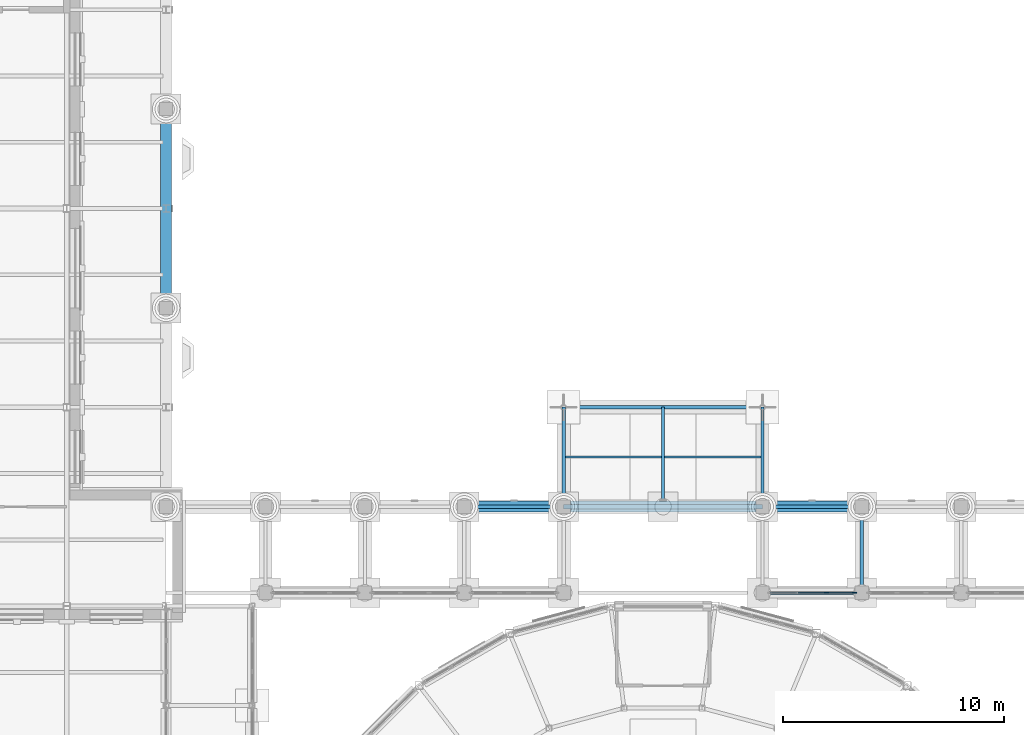
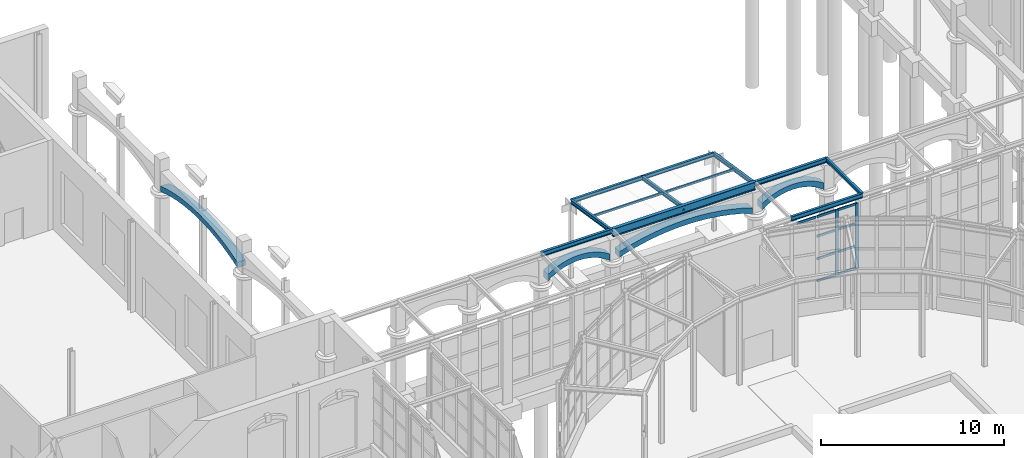
# One storey, part 36 of 106: 13 beams, 12 members, 1 element without a shape of its own.
"""IFC4 building model written with IfcOpenShell, lengths in metres."""

from ifc_helpers import new_model, si_unit, direction, frame, origin, origin_2d, place, context, subcontext, project, spatial, polyline, rectangle, hollow_rectangle, i_section, outline, extrude, material, layer, layer_set, material_profile, profile_set, type_object, element, aggregate, save


model = new_model("IFC4")

# Units and contexts
model_context = context("Model", 3, precision=1e-05, world=origin(), true_north=direction((0.0, 1.0)))
body_context = subcontext(model_context, "Body", "Model", "MODEL_VIEW")
ifc_project = project(units=[si_unit("LENGTHUNIT", "METRE"), si_unit("AREAUNIT", "SQUARE_METRE"), si_unit("VOLUMEUNIT", "CUBIC_METRE"), si_unit("PLANEANGLEUNIT", "RADIAN"), si_unit("MASSUNIT", "GRAM", prefix="KILO")], contexts=[model_context])

# Site, building, storey
site_placement = place(None, origin())
site = spatial("IfcSite", under=ifc_project, at=site_placement, CompositionType="ELEMENT")
building_placement = place(site_placement, origin())
building = spatial("IfcBuilding", under=site, at=building_placement, Name="Hortulan Conservatory and Botanical Research Centre", CompositionType="ELEMENT")
storey_placement = place(building_placement, origin())
storey = spatial("IfcBuildingStorey", under=building, at=storey_placement, Name="L00", CompositionType="ELEMENT", Elevation=0.0)

# Beams
ifc_material_1 = material(Name="Steel Grade 300PLUS (AS/NZS 3679.1, 280 MPa minimum yield)", Category="steel")
ifc_material_profile_1 = material_profile(ifc_material_1, i_section(OverallWidth=0.14599609375, OverallDepth=0.251953125, WebThickness=0.006103515625, FlangeThickness=0.008544921875, FilletRadius=0.0087890625, at=origin_2d()), Name="250UB31.4")
ifc_profile_set_1 = profile_set([ifc_material_profile_1], Name="Steel Grade 300PLUS (AS/NZS 3679.1, 280 MPa minimum yield)")
beam_type_1 = type_object("IfcBeamType", Name="Arcade Cross Beam 250UB31.4", PredefinedType="BEAM", material=ifc_profile_set_1)
beam_1_placement = place(storey_placement, frame((63.0, 36.60009765625, 5.674072265625), z_axis=(0.0, 1.0, 0.0), x_axis=(-1.0, 0.0, 0.0)))
element("IfcBeam", 1, at=beam_1_placement, inside=storey, type_object=beam_type_1, Name="Arcade cross beam 24", PredefinedType="BEAM", context=body_context, shape_type="SweptSolid", body=[
    extrude(i_section(OverallWidth=0.14599609375, OverallDepth=0.251953125, WebThickness=0.006103515625, FlangeThickness=0.008544921875, FilletRadius=0.0087890625, at=origin_2d()), origin(), (0.0, 0.0, 1.0), 3.89990234375),
])
ifc_material_profile_2 = material_profile(ifc_material_1, i_section(OverallWidth=0.208984375, OverallDepth=0.532958984375, WebThickness=0.01025390625, FlangeThickness=0.015625, FilletRadius=0.013916015625, at=origin_2d()), Name="530UB92.4")
ifc_profile_set_2 = profile_set([ifc_material_profile_2], Name="Steel Grade 300PLUS (AS/NZS 3679.1, 280 MPa minimum yield)")
beam_type_2 = type_object("IfcBeamType", Name="Arcade Entrance Beam 530UB92.4", PredefinedType="BEAM", material=ifc_profile_set_2)
beam_2_placement = place(storey_placement, frame((49.5, 40.5, 5.533447265625), z_axis=(1.0, 0.0, 0.0), x_axis=(0.0, 1.0, 0.0)))
element("IfcBeam", 2, at=beam_2_placement, inside=storey, type_object=beam_type_2, Name="Arcade entrance beam 05", PredefinedType="BEAM", context=body_context, shape_type="SweptSolid", body=[
    extrude(i_section(OverallWidth=0.208984375, OverallDepth=0.532958984375, WebThickness=0.01025390625, FlangeThickness=0.015625, FilletRadius=0.013916015625, at=origin_2d()), origin(), (0.0, 0.0, 1.0), 9.0),
])
ifc_material_profile_3 = material_profile(ifc_material_1, i_section(OverallWidth=0.1650390625, OverallDepth=0.303955078125, WebThickness=0.006103515625, FlangeThickness=0.01025390625, FilletRadius=0.011474609375, at=origin_2d()), Name="310UB40.4")
ifc_profile_set_3 = profile_set([ifc_material_profile_3], Name="Steel Grade 300PLUS (AS/NZS 3679.1, 280 MPa minimum yield)")
beam_type_3 = type_object("IfcBeamType", Name="Arcade Front Beam 310UB40.4", PredefinedType="BEAM", material=ifc_profile_set_3)
for number, where, z_axis, x_axis, name in (
    (3, (45.0, 40.5, 5.64794921875), (1.0, 0.0, 0.0), (0.0, 1.0, 0.0), "Arcade front beam 04"),
    (4, (58.5, 40.5, 5.64794921875), (1.0, 0.0, 0.0), (0.0, 1.0, 0.0), "Arcade front beam 06"),
):
    element("IfcBeam", number, at=place(storey_placement, frame(where, z_axis=z_axis, x_axis=x_axis)), inside=storey, type_object=beam_type_3, Name=name, PredefinedType="BEAM", context=body_context, shape_type="SweptSolid", body=[
        extrude(i_section(OverallWidth=0.1650390625, OverallDepth=0.303955078125, WebThickness=0.006103515625, FlangeThickness=0.01025390625, FilletRadius=0.011474609375, at=origin_2d()), origin(), (0.0, 0.0, 1.0), 4.5),
    ])
ifc_material_profile_4 = material_profile(ifc_material_1, i_section(OverallWidth=0.14892578125, OverallDepth=0.298095703125, WebThickness=0.005615234375, FlangeThickness=0.008056640625, FilletRadius=0.012939453125, at=origin_2d()), Name="310UB32.0")
ifc_profile_set_4 = profile_set([ifc_material_profile_4], Name="Steel Grade 300PLUS (AS/NZS 3679.1, 280 MPa minimum yield)")
beam_type_4 = type_object("IfcBeamType", Name="Arcade Rear Beam 310UB32.0", PredefinedType="BEAM", material=ifc_profile_set_4)
beam_3_placement = place(storey_placement, frame((58.5, 36.60009765625, 5.65087890625), z_axis=(1.0, 0.0, 0.0), x_axis=(0.0, 1.0, 0.0)))
element("IfcBeam", 5, at=beam_3_placement, inside=storey, type_object=beam_type_4, Name="Arcade rear beam 15", PredefinedType="BEAM", context=body_context, shape_type="SweptSolid", body=[
    extrude(i_section(OverallWidth=0.14892578125, OverallDepth=0.298095703125, WebThickness=0.005615234375, FlangeThickness=0.008056640625, FilletRadius=0.012939453125, at=origin_2d()), origin(), (0.0, 0.0, 1.0), 4.5),
])

# Curtain wall, members
ifc_material_2 = material(Name="Bronze-finished aluminium", Category="aluminium")
ifc_layer_1 = layer(ifc_material_2, 0.10009765625)
ifc_layer_set_1 = layer_set([ifc_layer_1], Name="Bronze-framed Curtain Wall 1500 module")
curtain_wall_type = type_object("IfcCurtainWallType", Name="Bronze-framed Curtain Wall 1500 module", PredefinedType="NOTDEFINED", material=ifc_layer_set_1)
curtain_wall_placement = place(storey_placement, origin())
curtain_wall = element("IfcCurtainWall", 6, at=curtain_wall_placement, inside=storey, type_object=curtain_wall_type, Name="Curtain wall", PredefinedType="NOTDEFINED")
ifc_material_profile_5 = material_profile(ifc_material_2, rectangle(XDim=0.06005859375, YDim=0.199951171875, at=origin_2d()), Name="Bronze Mullion 60x200")
ifc_profile_set_5 = profile_set([ifc_material_profile_5], Name="Bronze-finished aluminium")
member_type_1 = type_object("IfcMemberType", Name="Bronze Mullion 60x200", PredefinedType="MULLION", material=ifc_profile_set_5)
member_1_placement = place(storey_placement, frame((61.39990234375, 36.60009765625, 0.89990234375), z_axis=(0.0, 0.0, 1.0), x_axis=(0.0, 1.0, 0.0)))
member_1 = element("IfcMember", 7, at=member_1_placement, type_object=member_type_1, Name="CW1 mullion 3", PredefinedType="MULLION", context=body_context, shape_type="SweptSolid", body=[
    extrude(rectangle(XDim=0.06005859375, YDim=0.199951171875, at=origin_2d()), origin(), (0.0, 0.0, 1.0), 4.340087890625),
])
member_2_placement = place(storey_placement, frame((62.669921875, 36.60009765625, 0.89990234375), z_axis=(0.0, 0.0, 1.0), x_axis=(0.0, 1.0, 0.0)))
member_2 = element("IfcMember", 8, at=member_2_placement, type_object=member_type_1, Name="CW1 mullion 4", PredefinedType="MULLION", context=body_context, shape_type="SweptSolid", body=[
    extrude(rectangle(XDim=0.06005859375, YDim=0.199951171875, at=origin_2d()), origin(), (0.0, 0.0, 1.0), 4.340087890625),
])
ifc_material_profile_6 = material_profile(ifc_material_2, rectangle(XDim=0.06005859375, YDim=0.14990234375, at=origin_2d()), Name="Bronze Transom 60x150")
ifc_profile_set_6 = profile_set([ifc_material_profile_6], Name="Bronze-finished aluminium")
member_type_2 = type_object("IfcMemberType", Name="Bronze Transom 60x150", PredefinedType="USERDEFINED", material=ifc_profile_set_6)
member_3_placement = place(storey_placement, frame((58.860107421875, 36.60009765625, 5.2099609375), z_axis=(1.0, 0.0, 0.0), x_axis=(0.0, 1.0, 0.0)))
member_3 = element("IfcMember", 9, at=member_3_placement, type_object=member_type_2, Name="CW1 transom 1.4", ObjectType="TRANSOM", PredefinedType="USERDEFINED", context=body_context, shape_type="SweptSolid", body=[
    extrude(rectangle(XDim=0.06005859375, YDim=0.14990234375, at=origin_2d()), origin(), (0.0, 0.0, 1.0), 1.2099609375),
])
member_4_placement = place(storey_placement, frame((60.1298828125, 36.60009765625, 0.929931640625), z_axis=(1.0, 0.0, 0.0), x_axis=(0.0, 1.0, 0.0)))
member_4 = element("IfcMember", 10, at=member_4_placement, type_object=member_type_2, Name="CW1 transom 2.1", ObjectType="TRANSOM", PredefinedType="USERDEFINED", context=body_context, shape_type="SweptSolid", body=[
    extrude(rectangle(XDim=0.06005859375, YDim=0.14990234375, at=origin_2d()), origin(), (0.0, 0.0, 1.0), 1.240234375),
])
member_5_placement = place(storey_placement, frame((60.1298828125, 36.60009765625, 2.39990234375), z_axis=(1.0, 0.0, 0.0), x_axis=(0.0, 1.0, 0.0)))
member_5 = element("IfcMember", 11, at=member_5_placement, type_object=member_type_2, Name="CW1 transom 2.2", ObjectType="TRANSOM", PredefinedType="USERDEFINED", context=body_context, shape_type="SweptSolid", body=[
    extrude(rectangle(XDim=0.06005859375, YDim=0.14990234375, at=origin_2d()), origin(), (0.0, 0.0, 1.0), 1.240234375),
])
member_6_placement = place(storey_placement, frame((60.1298828125, 36.60009765625, 3.89990234375), z_axis=(1.0, 0.0, 0.0), x_axis=(0.0, 1.0, 0.0)))
member_6 = element("IfcMember", 12, at=member_6_placement, type_object=member_type_2, Name="CW1 transom 2.3", ObjectType="TRANSOM", PredefinedType="USERDEFINED", context=body_context, shape_type="SweptSolid", body=[
    extrude(rectangle(XDim=0.06005859375, YDim=0.14990234375, at=origin_2d()), origin(), (0.0, 0.0, 1.0), 1.240234375),
])
member_7_placement = place(storey_placement, frame((60.1298828125, 36.60009765625, 5.2099609375), z_axis=(1.0, 0.0, 0.0), x_axis=(0.0, 1.0, 0.0)))
member_7 = element("IfcMember", 13, at=member_7_placement, type_object=member_type_2, Name="CW1 transom 2.4", ObjectType="TRANSOM", PredefinedType="USERDEFINED", context=body_context, shape_type="SweptSolid", body=[
    extrude(rectangle(XDim=0.06005859375, YDim=0.14990234375, at=origin_2d()), origin(), (0.0, 0.0, 1.0), 1.240234375),
])
member_8_placement = place(storey_placement, frame((61.429931640625, 36.60009765625, 0.929931640625), z_axis=(1.0, 0.0, 0.0), x_axis=(0.0, 1.0, 0.0)))
member_8 = element("IfcMember", 14, at=member_8_placement, type_object=member_type_2, Name="CW1 transom 3.1", ObjectType="TRANSOM", PredefinedType="USERDEFINED", context=body_context, shape_type="SweptSolid", body=[
    extrude(rectangle(XDim=0.06005859375, YDim=0.14990234375, at=origin_2d()), origin(), (0.0, 0.0, 1.0), 1.2099609375),
])
member_9_placement = place(storey_placement, frame((61.429931640625, 36.60009765625, 2.39990234375), z_axis=(1.0, 0.0, 0.0), x_axis=(0.0, 1.0, 0.0)))
member_9 = element("IfcMember", 15, at=member_9_placement, type_object=member_type_2, Name="CW1 transom 3.2", ObjectType="TRANSOM", PredefinedType="USERDEFINED", context=body_context, shape_type="SweptSolid", body=[
    extrude(rectangle(XDim=0.06005859375, YDim=0.14990234375, at=origin_2d()), origin(), (0.0, 0.0, 1.0), 1.2099609375),
])
member_10_placement = place(storey_placement, frame((61.429931640625, 36.60009765625, 3.89990234375), z_axis=(1.0, 0.0, 0.0), x_axis=(0.0, 1.0, 0.0)))
member_10 = element("IfcMember", 16, at=member_10_placement, type_object=member_type_2, Name="CW1 transom 3.3", ObjectType="TRANSOM", PredefinedType="USERDEFINED", context=body_context, shape_type="SweptSolid", body=[
    extrude(rectangle(XDim=0.06005859375, YDim=0.14990234375, at=origin_2d()), origin(), (0.0, 0.0, 1.0), 1.2099609375),
])
member_11_placement = place(storey_placement, frame((61.429931640625, 36.60009765625, 5.2099609375), z_axis=(1.0, 0.0, 0.0), x_axis=(0.0, 1.0, 0.0)))
member_11 = element("IfcMember", 17, at=member_11_placement, type_object=member_type_2, Name="CW1 transom 3.4", ObjectType="TRANSOM", PredefinedType="USERDEFINED", context=body_context, shape_type="SweptSolid", body=[
    extrude(rectangle(XDim=0.06005859375, YDim=0.14990234375, at=origin_2d()), origin(), (0.0, 0.0, 1.0), 1.2099609375),
])
aggregate(curtain_wall, [member_1, member_2, member_3, member_4, member_5, member_6, member_7, member_8, member_9, member_10, member_11])

# Beams
ifc_material_profile_7 = material_profile(ifc_material_1, i_section(OverallWidth=0.14599609375, OverallDepth=0.251953125, WebThickness=0.006103515625, FlangeThickness=0.008544921875, FilletRadius=0.0087890625, at=origin_2d()), Name="250UB31.4")
ifc_profile_set_7 = profile_set([ifc_material_profile_7], Name="Steel Grade 300PLUS (AS/NZS 3679.1, 280 MPa minimum yield)")
beam_type_5 = type_object("IfcBeamType", Name="Entrance Canopy Beam 250UB31.4", PredefinedType="BEAM", material=ifc_profile_set_7)
beam_4_placement = place(storey_placement, frame((49.5, 45.0, 4.8740234375), z_axis=(1.0, 0.0, 0.0), x_axis=(0.0, 1.0, 0.0)))
element("IfcBeam", 18, at=beam_4_placement, inside=storey, type_object=beam_type_5, Name="Entrance canopy front beam 1", PredefinedType="BEAM", context=body_context, shape_type="SweptSolid", body=[
    extrude(i_section(OverallWidth=0.14599609375, OverallDepth=0.251953125, WebThickness=0.006103515625, FlangeThickness=0.008544921875, FilletRadius=0.0087890625, at=origin_2d()), origin(), (0.0, 0.0, 1.0), 9.0),
])
for number, where, z_axis, x_axis, name in (
    (19, (49.5, 45.0, 4.8740234375), (0.0, -0.988118097326, 0.153696537817), (1.0, 0.0, 0.0), "Entrance canopy rafter 1"),
    (20, (54.0, 45.0, 4.8740234375), (0.0, -0.988118097326, 0.153696537817), (1.0, 0.0, 0.0), "Entrance canopy rafter 2"),
    (21, (58.5, 45.0, 4.8740234375), (0.0, -0.988118097326, 0.153696537817), (1.0, 0.0, 0.0), "Entrance canopy rafter 3"),
):
    element("IfcBeam", number, at=place(storey_placement, frame(where, z_axis=z_axis, x_axis=x_axis)), inside=storey, type_object=beam_type_5, Name=name, PredefinedType="BEAM", context=body_context, shape_type="SweptSolid", body=[
        extrude(i_section(OverallWidth=0.14599609375, OverallDepth=0.251953125, WebThickness=0.006103515625, FlangeThickness=0.008544921875, FilletRadius=0.0087890625, at=origin_2d()), origin(), (0.0, 0.0, 1.0), 4.55419921875),
    ])

# Member
ifc_material_3 = material(Name="Steel Grade C450L0 (450 MPa, AS/NZS 1163)", Category="steel")
ifc_material_profile_8 = material_profile(ifc_material_3, hollow_rectangle(XDim=0.10009765625, YDim=0.14990234375, WallThickness=0.006103515625, InnerFilletRadius=0.009033203125, OuterFilletRadius=0.014892578125, at=origin_2d()), Name="150x100x6RHS")
ifc_profile_set_8 = profile_set([ifc_material_profile_8], Name="Steel Grade C450L0 (450 MPa, AS/NZS 1163)")
member_type_3 = type_object("IfcMemberType", Name="Entrance Canopy Purlin 150x100x6 RHS", PredefinedType="PURLIN", material=ifc_profile_set_8)
member_12_placement = place(storey_placement, frame((49.5, 42.75, 5.22412109375), z_axis=(1.0, 0.0, 0.0), x_axis=(0.0, 1.0, 0.0)))
element("IfcMember", 22, at=member_12_placement, inside=storey, type_object=member_type_3, Name="Entrance canopy purlin 1", PredefinedType="PURLIN", context=body_context, shape_type="SweptSolid", body=[
    extrude(hollow_rectangle(XDim=0.10009765625, YDim=0.14990234375, WallThickness=0.006103515625, InnerFilletRadius=0.009033203125, OuterFilletRadius=0.014892578125, at=origin_2d()), origin(), (0.0, 0.0, 1.0), 9.0),
])

# Beams
ifc_material_4 = material(Name="Sandstone masonry (Hawkesbury yellow block)", Category="masonry")
ifc_layer_2 = layer(ifc_material_4, 0.5)
ifc_layer_set_2 = layer_set([ifc_layer_2], Name="Sandstone Arch Ring 500")
beam_type_6 = type_object("IfcBeamType", Name="Sandstone Arch Ring 500", PredefinedType="BEAM", material=ifc_layer_set_2)
beam_5_placement = place(storey_placement, frame((45.300048828125, 40.5, 3.89990234375), z_axis=(0.0, 0.0, 1.0), x_axis=(1.0, 0.0, 0.0)))
element("IfcBeam", 23, at=beam_5_placement, inside=storey, type_object=beam_type_6, Name="Arch ring", PredefinedType="BEAM", context=body_context, shape_type="SweptSolid", body=[
    extrude(outline(polyline([(0.0, 0.0), (0.324951171875, 0.234130859375), (0.64990234375, 0.410888671875), (0.97509765625, 0.541015625), (1.300048828125, 0.63037109375), (1.625, 0.682861328125), (1.949951171875, 0.7001953125), (2.27490234375, 0.682861328125), (2.60009765625, 0.63037109375), (2.925048828125, 0.541015625), (3.25, 0.410888671875), (3.574951171875, 0.234130859375), (3.89990234375, 0.0), (3.89990234375, 0.43896484375), (3.574951171875, 0.638916015625), (3.25, 0.793212890625), (2.925048828125, 0.907958984375), (2.60009765625, 0.98779296875), (2.27490234375, 1.03466796875), (1.949951171875, 1.050048828125), (1.625, 1.03466796875), (1.300048828125, 0.98779296875), (0.97509765625, 0.907958984375), (0.64990234375, 0.793212890625), (0.324951171875, 0.638916015625), (0.0, 0.43896484375), (0.0, 0.0)])), frame((0.0, 0.25, 0.0), z_axis=(0.0, -1.0, 0.0), x_axis=(1.0, 0.0, 0.0)), (0.0, 0.0, 1.0), 0.5),
])
beam_6_placement = place(storey_placement, frame((49.800048828125, 40.5, 3.89990234375), z_axis=(0.0, 0.0, 1.0), x_axis=(1.0, 0.0, 0.0)))
element("IfcBeam", 24, at=beam_6_placement, inside=storey, type_object=beam_type_6, Name="Arch ring", PredefinedType="BEAM", context=body_context, shape_type="SweptSolid", body=[
    extrude(outline(polyline([(0.0, 0.0), (0.699951171875, 0.21826171875), (1.39990234375, 0.393798828125), (2.10009765625, 0.52880859375), (2.800048828125, 0.624267578125), (3.5, 0.68115234375), (4.199951171875, 0.7001953125), (4.89990234375, 0.68115234375), (5.60009765625, 0.624267578125), (6.300048828125, 0.52880859375), (7.0, 0.393798828125), (7.699951171875, 0.21826171875), (8.39990234375, 0.0), (8.39990234375, 0.369384765625), (7.699951171875, 0.581298828125), (7.0, 0.751953125), (6.300048828125, 0.88330078125), (5.60009765625, 0.976318359375), (4.89990234375, 1.03173828125), (4.199951171875, 1.050048828125), (3.5, 1.03173828125), (2.800048828125, 0.976318359375), (2.10009765625, 0.88330078125), (1.39990234375, 0.751953125), (0.699951171875, 0.581298828125), (0.0, 0.369384765625), (0.0, 0.0)])), frame((0.0, 0.25, 0.0), z_axis=(0.0, -1.0, 0.0), x_axis=(1.0, 0.0, 0.0)), (0.0, 0.0, 1.0), 0.5),
])
beam_7_placement = place(storey_placement, frame((58.800048828125, 40.5, 3.89990234375), z_axis=(0.0, 0.0, 1.0), x_axis=(1.0, 0.0, 0.0)))
element("IfcBeam", 25, at=beam_7_placement, inside=storey, type_object=beam_type_6, Name="Arch ring", PredefinedType="BEAM", context=body_context, shape_type="SweptSolid", body=[
    extrude(outline(polyline([(0.0, 0.0), (0.324951171875, 0.234130859375), (0.64990234375, 0.410888671875), (0.97509765625, 0.541015625), (1.300048828125, 0.63037109375), (1.625, 0.682861328125), (1.949951171875, 0.7001953125), (2.27490234375, 0.682861328125), (2.60009765625, 0.63037109375), (2.925048828125, 0.541015625), (3.25, 0.410888671875), (3.574951171875, 0.234130859375), (3.89990234375, 0.0), (3.89990234375, 0.43896484375), (3.574951171875, 0.638916015625), (3.25, 0.793212890625), (2.925048828125, 0.907958984375), (2.60009765625, 0.98779296875), (2.27490234375, 1.03466796875), (1.949951171875, 1.050048828125), (1.625, 1.03466796875), (1.300048828125, 0.98779296875), (0.97509765625, 0.907958984375), (0.64990234375, 0.793212890625), (0.324951171875, 0.638916015625), (0.0, 0.43896484375), (0.0, 0.0)])), frame((0.0, 0.25, 0.0), z_axis=(0.0, -1.0, 0.0), x_axis=(1.0, 0.0, 0.0)), (0.0, 0.0, 1.0), 0.5),
])
beam_8_placement = place(storey_placement, frame((31.5, 49.800048828125, 3.89990234375), z_axis=(0.0, 0.0, 1.0), x_axis=(0.0, 1.0, 0.0)))
element("IfcBeam", 26, at=beam_8_placement, inside=storey, type_object=beam_type_6, Name="Arch ring", PredefinedType="BEAM", context=body_context, shape_type="SweptSolid", body=[
    extrude(outline(polyline([(0.0, 0.0), (0.60009765625, 0.189697265625), (1.199951171875, 0.347900390625), (1.800048828125, 0.475830078125), (2.39990234375, 0.574462890625), (3.0, 0.644287109375), (3.60009765625, 0.686279296875), (4.199951171875, 0.7001953125), (4.800048828125, 0.686279296875), (5.39990234375, 0.644287109375), (6.0, 0.574462890625), (6.60009765625, 0.475830078125), (7.199951171875, 0.347900390625), (7.800048828125, 0.189697265625), (8.39990234375, 0.0), (8.39990234375, 0.369384765625), (7.800048828125, 0.5537109375), (7.199951171875, 0.707275390625), (6.60009765625, 0.831787109375), (6.0, 0.927734375), (5.39990234375, 0.995849609375), (4.800048828125, 1.03662109375), (4.199951171875, 1.050048828125), (3.60009765625, 1.03662109375), (3.0, 0.995849609375), (2.39990234375, 0.927734375), (1.800048828125, 0.831787109375), (1.199951171875, 0.707275390625), (0.60009765625, 0.5537109375), (0.0, 0.369384765625), (0.0, 0.0)])), frame((0.0, 0.25, 0.0), z_axis=(0.0, -1.0, 0.0), x_axis=(1.0, 0.0, 0.0)), (0.0, 0.0, 1.0), 0.5),
])

save(model, "model.ifc")
